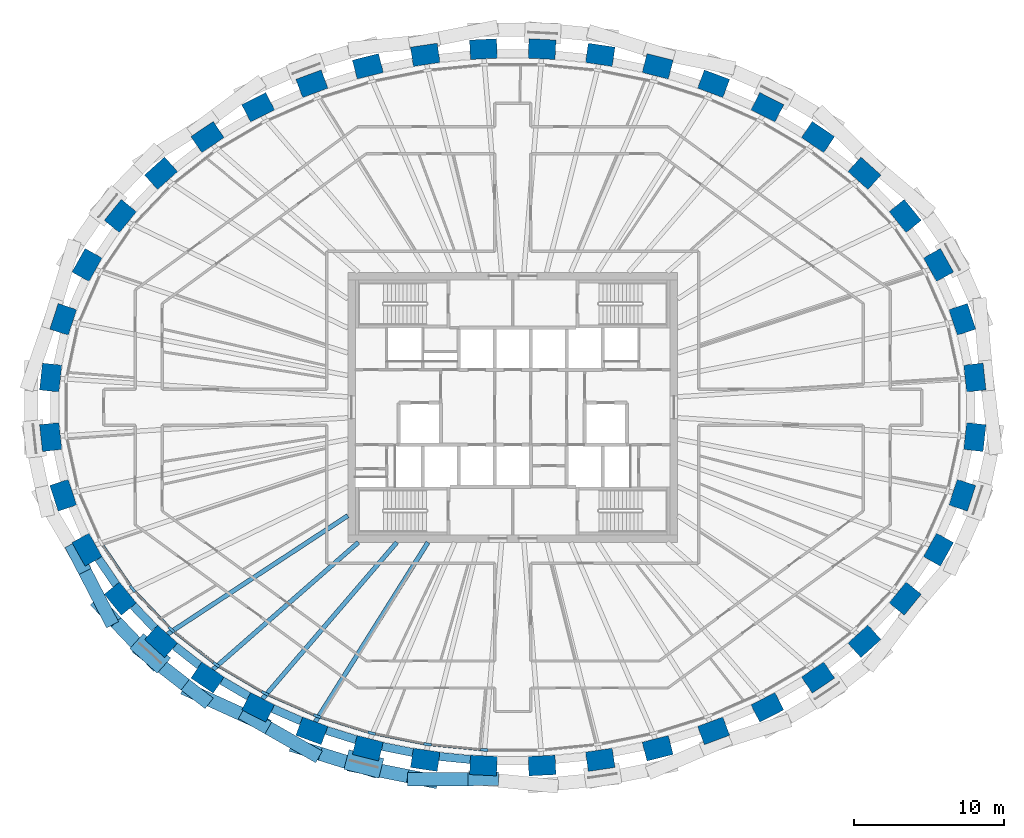
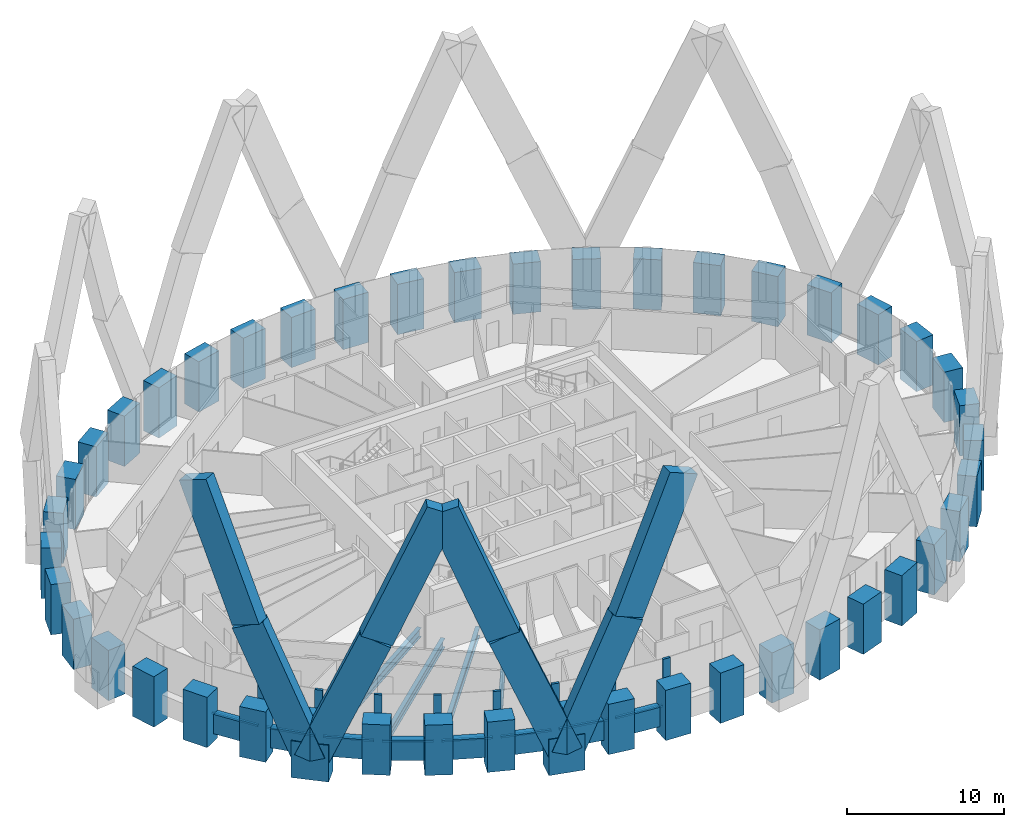
# One storey, part 1 of 14: 44 columns, 26 members, 12 beams, 1 element without a shape of its own.
"""IFC4 building model written with IfcOpenShell, lengths in metres."""

from ifc_helpers import new_model, si_unit, direction, frame, origin, origin_2d, place, context, subcontext, project, spatial, rectangle, i_section, extrude, source, transform, mapped, material, material_profile, profile_set, type_object, element, aggregate, save


model = new_model("IFC4")

# Units and contexts
model_context = context("Model", 3, precision=1e-05, world=origin(), true_north=direction((0.0, 1.0)))
body_context = subcontext(model_context, "Body", "Model", "MODEL_VIEW")
ifc_project = project(units=[si_unit("LENGTHUNIT", "METRE"), si_unit("AREAUNIT", "SQUARE_METRE"), si_unit("VOLUMEUNIT", "CUBIC_METRE"), si_unit("PLANEANGLEUNIT", "RADIAN"), si_unit("MASSUNIT", "GRAM", prefix="KILO")], contexts=[model_context])

# Site, building, storey
site_placement = place(None, origin())
site = spatial("IfcSite", under=ifc_project, at=site_placement, CompositionType="ELEMENT")
building_placement = place(site_placement, origin())
building = spatial("IfcBuilding", under=site, at=building_placement, Name="Embergate Tower", CompositionType="ELEMENT")
storey_placement = place(building_placement, frame((0.0, 0.0, 297.39990234375)))
storey = spatial("IfcBuildingStorey", under=building, at=storey_placement, Name="L69", CompositionType="ELEMENT", Elevation=297.39990234375)

# Columns
ifc_material_1 = material(Name="Concrete C50", Category="concrete")
ifc_material_profile_1 = material_profile(ifc_material_1, rectangle(XDim=1.300048828125, YDim=1.800048828125, at=origin_2d()), Name="RC 1300x1800")
ifc_profile_set_1 = profile_set([ifc_material_profile_1], Name="Concrete C50")
column_type = type_object("IfcColumnType", Name="Ring column RC 1300x1800 C50", PredefinedType="COLUMN", material=ifc_profile_set_1)
shared_shape_1 = source(origin(), body_context, "Body", "SweptSolid", [
    extrude(rectangle(XDim=1.300048828125, YDim=1.800048828125, at=origin_2d()), origin(), (0.0, 0.0, 1.0), 3.89990234375),
])
for number, where, z_axis, x_axis, name in (
    (1, (30.80908203125, 1.985107421875, -1.39990234375), (0.0, 0.0, 1.0), (0.99428589498, 0.106749983816, 0.0), "COL-L69-00"),
    (2, (29.97412109375, 5.864013671875, -1.39990234375), (0.0, 0.0, 1.0), (0.950754033697, 0.309946394413, 0.0), "COL-L69-01"),
    (3, (28.384033203125, 9.489990234375, -1.39990234375), (0.0, 0.0, 1.0), (0.873500465855, 0.486823311018, 0.0), "COL-L69-02"),
    (4, (26.1640625, 12.7548828125, -1.39990234375), (0.0, 0.0, 1.0), (0.775925311702, 0.630824786022, 0.0), "COL-L69-03"),
    (5, (23.447998046875, 15.60302734375, -1.39990234375), (0.0, 0.0, 1.0), (0.669221393633, 0.743063070206, 0.0), "COL-L69-04"),
    (6, (20.35302734375, 18.01904296875, -1.39990234375), (0.0, 0.0, 1.0), (0.560393279442, 0.828226643109, 0.0), "COL-L69-05"),
    (7, (16.97607421875, 20.0048828125, -1.39990234375), (0.0, 0.0, 1.0), (0.453010512651, 0.891505174089, 0.0), "COL-L69-06"),
    (8, (13.39208984375, 21.572021484375, -1.39990234375), (0.0, 0.0, 1.0), (0.348343015724, 0.93736713373, 0.0), "COL-L69-07"),
    (9, (9.662109375, 22.73388671875, -1.39990234375), (0.0, 0.0, 1.0), (0.24650851817, 0.969140624713, 0.0), "COL-L69-08"),
    (10, (5.833984375, 23.501953125, -1.39990234375), (0.0, 0.0, 1.0), (0.146929011949, 0.989147039346, 0.0), "COL-L69-09"),
    (11, (1.950927734375, 23.883056640625, -1.39990234375), (0.0, 0.0, 1.0), (0.048814904854, 0.998807841912, 0.0), "COL-L69-10"),
    (12, (-1.950927734375, 23.883056640625, -1.39990234375), (0.0, 0.0, 1.0), (-0.048814904854, 0.998807841912, 0.0), "COL-L69-11"),
    (13, (-5.833984375, 23.501953125, -1.39990234375), (0.0, 0.0, 1.0), (-0.146929011949, 0.989147039346, 0.0), "COL-L69-12"),
    (14, (-9.662109375, 22.73388671875, -1.39990234375), (0.0, 0.0, 1.0), (-0.24650851817, 0.969140624713, 0.0), "COL-L69-13"),
    (15, (-13.39208984375, 21.572021484375, -1.39990234375), (0.0, 0.0, 1.0), (-0.348343015724, 0.93736713373, 0.0), "COL-L69-14"),
    (16, (-16.97607421875, 20.0048828125, -1.39990234375), (0.0, 0.0, 1.0), (-0.453010512651, 0.891505174089, 0.0), "COL-L69-15"),
    (17, (-20.35302734375, 18.01904296875, -1.39990234375), (0.0, 0.0, 1.0), (-0.560393279442, 0.828226643109, 0.0), "COL-L69-16"),
    (18, (-23.447998046875, 15.60302734375, -1.39990234375), (0.0, 0.0, 1.0), (-0.669221393633, 0.743063070206, 0.0), "COL-L69-17"),
    (19, (-26.1640625, 12.7548828125, -1.39990234375), (0.0, 0.0, 1.0), (-0.775925311702, 0.630824786022, 0.0), "COL-L69-18"),
    (20, (-28.384033203125, 9.489990234375, -1.39990234375), (0.0, 0.0, 1.0), (-0.873500465855, 0.486823311018, 0.0), "COL-L69-19"),
    (21, (-29.97412109375, 5.864013671875, -1.39990234375), (0.0, 0.0, 1.0), (-0.950754033697, 0.309946394413, 0.0), "COL-L69-20"),
    (22, (-30.80908203125, 1.985107421875, -1.39990234375), (0.0, 0.0, 1.0), (-0.99428589498, 0.106749983816, 0.0), "COL-L69-21"),
    (23, (-30.80908203125, -1.985107421875, -1.39990234375), (0.0, 0.0, 1.0), (-0.99428589498, -0.106749983816, 0.0), "COL-L69-22"),
    (24, (-29.97412109375, -5.864013671875, -1.39990234375), (0.0, 0.0, 1.0), (-0.950754033697, -0.309946394413, 0.0), "COL-L69-23"),
    (25, (-28.384033203125, -9.489990234375, -1.39990234375), (0.0, 0.0, 1.0), (-0.873500465855, -0.486823311018, 0.0), "COL-L69-24"),
    (26, (-26.1640625, -12.7548828125, -1.39990234375), (0.0, 0.0, 1.0), (-0.775925311702, -0.630824786022, 0.0), "COL-L69-25"),
    (27, (-23.447998046875, -15.60302734375, -1.39990234375), (0.0, 0.0, 1.0), (-0.669221393633, -0.743063070206, 0.0), "COL-L69-26"),
    (28, (-20.35302734375, -18.01904296875, -1.39990234375), (0.0, 0.0, 1.0), (-0.560393279442, -0.828226643109, 0.0), "COL-L69-27"),
    (29, (-16.97607421875, -20.0048828125, -1.39990234375), (0.0, 0.0, 1.0), (-0.453010512651, -0.891505174089, 0.0), "COL-L69-28"),
    (30, (-13.39208984375, -21.572021484375, -1.39990234375), (0.0, 0.0, 1.0), (-0.348343015724, -0.93736713373, 0.0), "COL-L69-29"),
    (31, (-9.662109375, -22.73388671875, -1.39990234375), (0.0, 0.0, 1.0), (-0.24650851817, -0.969140624713, 0.0), "COL-L69-30"),
    (32, (-5.833984375, -23.501953125, -1.39990234375), (0.0, 0.0, 1.0), (-0.146929011949, -0.989147039346, 0.0), "COL-L69-31"),
    (33, (-1.950927734375, -23.883056640625, -1.39990234375), (0.0, 0.0, 1.0), (-0.048814904854, -0.998807841912, 0.0), "COL-L69-32"),
    (34, (1.950927734375, -23.883056640625, -1.39990234375), (0.0, 0.0, 1.0), (0.048814904854, -0.998807841912, 0.0), "COL-L69-33"),
    (35, (5.833984375, -23.501953125, -1.39990234375), (0.0, 0.0, 1.0), (0.146929011949, -0.989147039346, 0.0), "COL-L69-34"),
    (36, (9.662109375, -22.73388671875, -1.39990234375), (0.0, 0.0, 1.0), (0.24650851817, -0.969140624713, 0.0), "COL-L69-35"),
    (37, (13.39208984375, -21.572021484375, -1.39990234375), (0.0, 0.0, 1.0), (0.348343015724, -0.93736713373, 0.0), "COL-L69-36"),
    (38, (16.97607421875, -20.0048828125, -1.39990234375), (0.0, 0.0, 1.0), (0.453010512651, -0.891505174089, 0.0), "COL-L69-37"),
    (39, (20.35302734375, -18.01904296875, -1.39990234375), (0.0, 0.0, 1.0), (0.560393279442, -0.828226643109, 0.0), "COL-L69-38"),
    (40, (23.447998046875, -15.60302734375, -1.39990234375), (0.0, 0.0, 1.0), (0.669221393633, -0.743063070206, 0.0), "COL-L69-39"),
    (41, (26.1640625, -12.7548828125, -1.39990234375), (0.0, 0.0, 1.0), (0.775925311702, -0.630824786022, 0.0), "COL-L69-40"),
    (42, (28.384033203125, -9.489990234375, -1.39990234375), (0.0, 0.0, 1.0), (0.873500465855, -0.486823311018, 0.0), "COL-L69-41"),
    (43, (29.97412109375, -5.864013671875, -1.39990234375), (0.0, 0.0, 1.0), (0.950754033697, -0.309946394413, 0.0), "COL-L69-42"),
    (44, (30.80908203125, -1.985107421875, -1.39990234375), (0.0, 0.0, 1.0), (0.99428589498, -0.106749983816, 0.0), "COL-L69-43"),
):
    element("IfcColumn", number, at=place(storey_placement, frame(where, z_axis=z_axis, x_axis=x_axis)), inside=storey, type_object=column_type, Name=name, PredefinedType="COLUMN", context=body_context, shape_type="MappedRepresentation", body=[
        mapped(shared_shape_1, transform((0.0, 0.0, 0.0))),
    ])

# Beams
ifc_material_2 = material(Name="Steel Q355B", Category="steel")
ifc_material_profile_2 = material_profile(ifc_material_2, i_section(OverallWidth=0.300048828125, OverallDepth=0.699951171875, WebThickness=0.012939453125, FlangeThickness=0.02392578125, FilletRadius=0.01806640625, at=origin_2d()), Name="HN 700x300x13x24")
ifc_profile_set_2 = profile_set([ifc_material_profile_2], Name="Steel Q355 grade B")
beam_type_1 = type_object("IfcBeamType", Name="Radial girder HN 700x300x13x24", PredefinedType="BEAM", material=ifc_profile_set_2)
shared_shape_2 = source(origin(), body_context, "Body", "SweptSolid", [
    extrude(i_section(OverallWidth=0.300048828125, OverallDepth=0.699951171875, WebThickness=0.012939453125, FlangeThickness=0.02392578125, FilletRadius=0.01806640625, at=origin_2d()), origin(), (0.0, 0.0, 1.0), 13.742431640625),
])
beam_1_placement = place(storey_placement, frame((-16.681884765625, -19.426025390625, -0.5498046875), z_axis=(0.651474345674, 0.758670664339, 0.0), x_axis=(-0.758670664339, 0.651474345674, 0.0)))
element("IfcBeam", 45, at=beam_1_placement, inside=storey, type_object=beam_type_1, Name="GIR-L69-28", PredefinedType="BEAM", context=body_context, shape_type="MappedRepresentation", body=[
    mapped(shared_shape_2, transform((0.0, 0.0, 0.0))),
])
ifc_material_profile_3 = material_profile(ifc_material_1, rectangle(XDim=0.550048828125, YDim=1.5, at=origin_2d()), Name="RC 550x1500")
ifc_profile_set_3 = profile_set([ifc_material_profile_3], Name="Concrete C50")
beam_type_2 = type_object("IfcBeamType", Name="Spandrel beam RC 550x1500 C50", PredefinedType="BEAM", material=ifc_profile_set_3)
shared_shape_3 = source(origin(), body_context, "Body", "SweptSolid", [
    extrude(rectangle(XDim=0.550048828125, YDim=1.5, at=origin_2d()), origin(), (0.0, 0.0, 1.0), 2.09033203125),
])
beam_2_placement = place(storey_placement, frame((-27.618896484375, -10.093994140625, 0.0), z_axis=(0.562009695033, -0.827130644269, 0.0), x_axis=(0.827130644269, 0.562009695033, 0.0)))
element("IfcBeam", 46, at=beam_2_placement, inside=storey, type_object=beam_type_2, Name="SPN-L69-24", PredefinedType="BEAM", context=body_context, shape_type="MappedRepresentation", body=[
    mapped(shared_shape_3, transform((0.0, 0.0, 0.0))),
])
shared_shape_4 = source(origin(), body_context, "Body", "SweptSolid", [
    extrude(rectangle(XDim=0.550048828125, YDim=1.5, at=origin_2d()), origin(), (0.0, 0.0, 1.0), 2.08447265625),
])
beam_3_placement = place(storey_placement, frame((-25.31298828125, -13.222900390625, 0.0), z_axis=(0.690339235394, -0.72348582576, 0.0), x_axis=(0.72348582576, 0.690339235394, 0.0)))
element("IfcBeam", 47, at=beam_3_placement, inside=storey, type_object=beam_type_2, Name="SPN-L69-25", PredefinedType="BEAM", context=body_context, shape_type="MappedRepresentation", body=[
    mapped(shared_shape_4, transform((0.0, 0.0, 0.0))),
])
shared_shape_5 = source(origin(), body_context, "Body", "SweptSolid", [
    extrude(rectangle(XDim=0.550048828125, YDim=1.5, at=origin_2d()), origin(), (0.0, 0.0, 1.0), 2.0791015625),
])
beam_4_placement = place(storey_placement, frame((-22.527099609375, -15.925048828125, 0.0), z_axis=(0.788383845435, -0.615183641084, 0.0), x_axis=(0.615183641084, 0.788383845435, 0.0)))
element("IfcBeam", 48, at=beam_4_placement, inside=storey, type_object=beam_type_2, Name="SPN-L69-26", PredefinedType="BEAM", context=body_context, shape_type="MappedRepresentation", body=[
    mapped(shared_shape_5, transform((0.0, 0.0, 0.0))),
])
shared_shape_6 = source(origin(), body_context, "Body", "SweptSolid", [
    extrude(rectangle(XDim=0.550048828125, YDim=1.5, at=origin_2d()), origin(), (0.0, 0.0, 1.0), 2.074462890625),
])
beam_5_placement = place(storey_placement, frame((-19.39892578125, -18.216064453125, 0.0), z_axis=(0.861864620017, -0.507138419726, 0.0), x_axis=(0.507138419726, 0.861864620017, 0.0)))
element("IfcBeam", 49, at=beam_5_placement, inside=storey, type_object=beam_type_2, Name="SPN-L69-27", PredefinedType="BEAM", context=body_context, shape_type="MappedRepresentation", body=[
    mapped(shared_shape_6, transform((0.0, 0.0, 0.0))),
])
shared_shape_7 = source(origin(), body_context, "Body", "SweptSolid", [
    extrude(rectangle(XDim=0.550048828125, YDim=1.5, at=origin_2d()), origin(), (0.0, 0.0, 1.0), 2.073486328125),
])
beam_6_placement = place(storey_placement, frame((-16.008056640625, -20.0859375, 0.0), z_axis=(0.91637608024, -0.400318472673, 0.0), x_axis=(0.400318472673, 0.91637608024, 0.0)))
element("IfcBeam", 50, at=beam_6_placement, inside=storey, type_object=beam_type_2, Name="SPN-L69-28", PredefinedType="BEAM", context=body_context, shape_type="MappedRepresentation", body=[
    mapped(shared_shape_7, transform((0.0, 0.0, 0.0))),
])
shared_shape_8 = source(origin(), body_context, "Body", "SweptSolid", [
    extrude(rectangle(XDim=0.550048828125, YDim=1.5, at=origin_2d()), origin(), (0.0, 0.0, 1.0), 2.07080078125),
])
beam_7_placement = place(storey_placement, frame((-12.422119140625, -21.544921875, 0.0), z_axis=(0.954735561173, -0.297455892917, 0.0), x_axis=(0.297455892917, 0.954735561173, 0.0)))
element("IfcBeam", 51, at=beam_7_placement, inside=storey, type_object=beam_type_2, Name="SPN-L69-29", PredefinedType="BEAM", context=body_context, shape_type="MappedRepresentation", body=[
    mapped(shared_shape_8, transform((0.0, 0.0, 0.0))),
])
shared_shape_9 = source(origin(), body_context, "Body", "SweptSolid", [
    extrude(rectangle(XDim=0.550048828125, YDim=1.5, at=origin_2d()), origin(), (0.0, 0.0, 1.0), 2.070556640625),
])
beam_8_placement = place(storey_placement, frame((-8.700927734375, -22.60595703125, 0.0), z_axis=(0.980398860457, -0.197023030165, 0.0), x_axis=(0.197023030165, 0.980398860457, 0.0)))
element("IfcBeam", 52, at=beam_8_placement, inside=storey, type_object=beam_type_2, Name="SPN-L69-30", PredefinedType="BEAM", context=body_context, shape_type="MappedRepresentation", body=[
    mapped(shared_shape_9, transform((0.0, 0.0, 0.0))),
])
shared_shape_10 = source(origin(), body_context, "Body", "SweptSolid", [
    extrude(rectangle(XDim=0.550048828125, YDim=1.5, at=origin_2d()), origin(), (0.0, 0.0, 1.0), 2.06884765625),
])
beam_9_placement = place(storey_placement, frame((-4.89111328125, -23.279052734375, 0.0), z_axis=(0.995226952233, -0.097587466149, 0.0), x_axis=(0.097587466149, 0.995226952233, 0.0)))
element("IfcBeam", 53, at=beam_9_placement, inside=storey, type_object=beam_type_2, Name="SPN-L69-31", PredefinedType="BEAM", context=body_context, shape_type="MappedRepresentation", body=[
    mapped(shared_shape_10, transform((0.0, 0.0, 0.0))),
])
shared_shape_11 = source(origin(), body_context, "Body", "SweptSolid", [
    extrude(i_section(OverallWidth=0.300048828125, OverallDepth=0.699951171875, WebThickness=0.012939453125, FlangeThickness=0.02392578125, FilletRadius=0.01806640625, at=origin_2d()), origin(), (0.0, 0.0, 1.0), 14.3740234375),
])
beam_10_placement = place(storey_placement, frame((-23.012939453125, -15.1201171875, -0.5498046875), z_axis=(0.835742226811, 0.549121963069, 0.0), x_axis=(-0.549121963069, 0.835742226811, 0.0)))
element("IfcBeam", 54, at=beam_10_placement, inside=storey, type_object=beam_type_1, Name="GIR-L69-26", PredefinedType="BEAM", context=body_context, shape_type="MappedRepresentation", body=[
    mapped(shared_shape_11, transform((0.0, 0.0, 0.0))),
])
shared_shape_12 = source(origin(), body_context, "Body", "SweptSolid", [
    extrude(i_section(OverallWidth=0.300048828125, OverallDepth=0.699951171875, WebThickness=0.012939453125, FlangeThickness=0.02392578125, FilletRadius=0.01806640625, at=origin_2d()), origin(), (0.0, 0.0, 1.0), 12.88330078125),
])
beam_11_placement = place(storey_placement, frame((-19.989013671875, -17.48095703125, -0.5498046875), z_axis=(0.752760969036, 0.658293949157, 0.0), x_axis=(-0.658293949157, 0.752760969036, 0.0)))
element("IfcBeam", 55, at=beam_11_placement, inside=storey, type_object=beam_type_1, Name="GIR-L69-27", PredefinedType="BEAM", context=body_context, shape_type="MappedRepresentation", body=[
    mapped(shared_shape_12, transform((0.0, 0.0, 0.0))),
])
shared_shape_13 = source(origin(), body_context, "Body", "SweptSolid", [
    extrude(i_section(OverallWidth=0.300048828125, OverallDepth=0.699951171875, WebThickness=0.012939453125, FlangeThickness=0.02392578125, FilletRadius=0.01806640625, at=origin_2d()), origin(), (0.0, 0.0, 1.0), 14.126953125),
])
beam_12_placement = place(storey_placement, frame((-13.166015625, -20.962890625, -0.5498046875), z_axis=(0.531886600535, 0.846815590416, 0.0), x_axis=(-0.846815590416, 0.531886600535, 0.0)))
element("IfcBeam", 56, at=beam_12_placement, inside=storey, type_object=beam_type_1, Name="GIR-L69-29", PredefinedType="BEAM", context=body_context, shape_type="MappedRepresentation", body=[
    mapped(shared_shape_13, transform((0.0, 0.0, 0.0))),
])

# Members
ifc_material_3 = material(Name="Concrete C70", Category="concrete")
ifc_material_profile_4 = material_profile(ifc_material_3, rectangle(XDim=1.35009765625, YDim=2.449951171875, at=origin_2d()), Name="RC 1350x2450")
ifc_profile_set_4 = profile_set([ifc_material_profile_4], Name="Concrete C70")
member_type_1 = type_object("IfcMemberType", Name="Lattice node block RC 1350x2450", PredefinedType="POST", material=ifc_profile_set_4)
shared_shape_14 = source(origin(), body_context, "Body", "SweptSolid", [
    extrude(rectangle(XDim=1.35009765625, YDim=2.449951171875, at=origin_2d()), origin(), (0.0, 0.0, 1.0), 2.849853515625),
])
member_1_placement = place(storey_placement, frame((-24.16796875, -16.402099609375, -1.4248046875), z_axis=(0.0, 0.0, 1.0), x_axis=(-0.669221393633, -0.743063070206, 0.0)))
element("IfcMember", 57, at=member_1_placement, inside=storey, type_object=member_type_1, Name="NOD-L69-26", PredefinedType="POST", context=body_context, shape_type="MappedRepresentation", body=[
    mapped(shared_shape_14, transform((0.0, 0.0, 0.0))),
])
ifc_material_profile_5 = material_profile(ifc_material_3, rectangle(XDim=1.35009765625, YDim=2.39990234375, at=origin_2d()), Name="RC 1350x2400")
ifc_profile_set_5 = profile_set([ifc_material_profile_5], Name="Concrete C70")
member_type_2 = type_object("IfcMemberType", Name="Lattice node block RC 1350x2400", PredefinedType="POST", material=ifc_profile_set_5)
shared_shape_15 = source(origin(), body_context, "Body", "SweptSolid", [
    extrude(rectangle(XDim=1.35009765625, YDim=2.39990234375, at=origin_2d()), origin(), (0.0, 0.0, 1.0), 2.800048828125),
])
member_2_placement = place(storey_placement, frame((-9.926025390625, -23.77587890625, -1.39990234375), z_axis=(0.0, 0.0, 1.0), x_axis=(-0.24650851817, -0.969140624713, 0.0)))
element("IfcMember", 58, at=member_2_placement, inside=storey, type_object=member_type_2, Name="NOD-L69-30", PredefinedType="POST", context=body_context, shape_type="MappedRepresentation", body=[
    mapped(shared_shape_15, transform((0.0, 0.0, 0.0))),
])
ifc_material_profile_6 = material_profile(ifc_material_3, rectangle(XDim=0.89990234375, YDim=2.199951171875, at=origin_2d()), Name="RC 900x2200")
ifc_profile_set_6 = profile_set([ifc_material_profile_6], Name="Concrete C70")
member_type_3 = type_object("IfcMemberType", Name="Lattice diagonal terracotta-faced RC 900x2200", PredefinedType="BRACE", material=ifc_profile_set_6)
shared_shape_16 = source(origin(), body_context, "Body", "SweptSolid", [
    extrude(rectangle(XDim=0.89990234375, YDim=2.199951171875, at=origin_2d()), origin(), (0.0, 0.0, 1.0), 10.578369140625),
])
member_3_placement = place(storey_placement, frame((-24.318115234375, -16.569091796875, 0.0), z_axis=(-0.267601204721, 0.280871639625, 0.921683631886), x_axis=(-0.724003514674, -0.689796282058, 0.0)))
element("IfcMember", 59, at=member_3_placement, inside=storey, type_object=member_type_3, Name="BRC-L69-26-24-S00", PredefinedType="BRACE", context=body_context, shape_type="MappedRepresentation", body=[
    mapped(shared_shape_16, transform((0.0, 0.0, 0.0))),
])
shared_shape_17 = source(origin(), body_context, "Body", "SweptSolid", [
    extrude(rectangle(XDim=0.89990234375, YDim=2.199951171875, at=origin_2d()), origin(), (0.0, 0.0, 1.0), 10.540283203125),
])
member_4_placement = place(storey_placement, frame((-27.14892578125, -13.597900390625, 9.75), z_axis=(-0.174855297653, 0.337272220045, 0.925025985834), x_axis=(-0.887783136166, -0.46026199402, 0.0)))
element("IfcMember", 60, at=member_4_placement, inside=storey, type_object=member_type_3, Name="BRC-L69-26-24-S01", PredefinedType="BRACE", context=body_context, shape_type="MappedRepresentation", body=[
    mapped(shared_shape_17, transform((0.0, 0.0, 0.0))),
])
shared_shape_18 = source(origin(), body_context, "Body", "SweptSolid", [
    extrude(rectangle(XDim=0.89990234375, YDim=2.199951171875, at=origin_2d()), origin(), (0.0, 0.0, 1.0), 10.59765625),
])
member_5_placement = place(storey_placement, frame((-24.318115234375, -16.569091796875, 0.0), z_axis=(0.309229684985, -0.240716753215, 0.920017633878), x_axis=(0.614266151244, 0.789098913594, 0.0)))
element("IfcMember", 61, at=member_5_placement, inside=storey, type_object=member_type_3, Name="BRC-L69-26-28-S00", PredefinedType="BRACE", context=body_context, shape_type="MappedRepresentation", body=[
    mapped(shared_shape_18, transform((0.0, 0.0, 0.0))),
])
shared_shape_19 = source(origin(), body_context, "Body", "SweptSolid", [
    extrude(rectangle(XDim=0.89990234375, YDim=2.199951171875, at=origin_2d()), origin(), (0.0, 0.0, 1.0), 10.6298828125),
])
member_6_placement = place(storey_placement, frame((-21.041015625, -19.1201171875, 9.75), z_axis=(0.362743023111, -0.164720334415, 0.917215738316), x_axis=(0.413464124554, 0.910520410374, 0.0)))
element("IfcMember", 62, at=member_6_placement, inside=storey, type_object=member_type_3, Name="BRC-L69-26-28-S01", PredefinedType="BRACE", context=body_context, shape_type="MappedRepresentation", body=[
    mapped(shared_shape_19, transform((0.0, 0.0, 0.0))),
])
shared_shape_20 = source(origin(), body_context, "Body", "SweptSolid", [
    extrude(rectangle(XDim=0.89990234375, YDim=2.199951171875, at=origin_2d()), origin(), (0.0, 0.0, 1.0), 10.54052734375),
])
member_7_placement = place(storey_placement, frame((-9.98193359375, -23.993896484375, 0.0), z_axis=(-0.362790196048, 0.112892767384, 0.925007295498), x_axis=(-0.297125839147, -0.95483832962, 0.0)))
element("IfcMember", 63, at=member_7_placement, inside=storey, type_object=member_type_3, Name="BRC-L69-30-28-S00", PredefinedType="BRACE", context=body_context, shape_type="MappedRepresentation", body=[
    mapped(shared_shape_20, transform((0.0, 0.0, 0.0))),
])
shared_shape_21 = source(origin(), body_context, "Body", "SweptSolid", [
    extrude(rectangle(XDim=0.89990234375, YDim=2.199951171875, at=origin_2d()), origin(), (0.0, 0.0, 1.0), 10.49853515625),
])
member_8_placement = place(storey_placement, frame((-13.805908203125, -22.803955078125, 9.75), z_axis=(-0.321871860632, 0.184109495024, 0.928709965046), x_axis=(-0.496510355503, -0.868030798347, 0.0)))
element("IfcMember", 64, at=member_8_placement, inside=storey, type_object=member_type_3, Name="BRC-L69-30-28-S01", PredefinedType="BRACE", context=body_context, shape_type="MappedRepresentation", body=[
    mapped(shared_shape_21, transform((0.0, 0.0, 0.0))),
])
shared_shape_22 = source(origin(), body_context, "Body", "SweptSolid", [
    extrude(rectangle(XDim=0.89990234375, YDim=2.199951171875, at=origin_2d()), origin(), (0.0, 0.0, 1.0), 10.56005859375),
])
member_9_placement = place(storey_placement, frame((-9.98193359375, -23.993896484375, 0.0), z_axis=(0.376612577186, -0.075484350185, 0.923290354971), x_axis=(0.196521245246, 0.980499566633, 0.0)))
element("IfcMember", 65, at=member_9_placement, inside=storey, type_object=member_type_3, Name="BRC-L69-30-32-S00", PredefinedType="BRACE", context=body_context, shape_type="MappedRepresentation", body=[
    mapped(shared_shape_22, transform((0.0, 0.0, 0.0))),
])
shared_shape_23 = source(origin(), body_context, "Body", "SweptSolid", [
    extrude(rectangle(XDim=0.89990234375, YDim=2.199951171875, at=origin_2d()), origin(), (0.0, 0.0, 1.0), 10.552734375),
])
member_10_placement = place(storey_placement, frame((-6.0048828125, -24.791015625, 9.75), z_axis=(0.382544341131, 0.001041094367, 0.923936547167), x_axis=(-0.00272148977, 0.99999629674, 0.0)))
element("IfcMember", 66, at=member_10_placement, inside=storey, type_object=member_type_3, Name="BRC-L69-30-32-S01", PredefinedType="BRACE", context=body_context, shape_type="MappedRepresentation", body=[
    mapped(shared_shape_23, transform((0.0, 0.0, 0.0))),
])

# Curtain wall, members
ifc_material_4 = material(Name="Aluminium and glass", Category="aluminium")
curtain_wall_type = type_object("IfcCurtainWallType", Name="Recessed office glazing", PredefinedType="NOTDEFINED", material=ifc_material_4)
curtain_wall_placement = place(storey_placement, origin())
curtain_wall = element("IfcCurtainWall", 67, at=curtain_wall_placement, inside=storey, type_object=curtain_wall_type, Name="Recessed office glazing ring", ObjectType="RECESSED OFFICE GLAZING", PredefinedType="USERDEFINED")
ifc_material_5 = material(Name="Aluminium, thermally broken", Category="aluminium")
ifc_material_profile_7 = material_profile(ifc_material_5, rectangle(XDim=0.179931640625, YDim=0.52001953125, at=origin_2d()), Name="AL 520x180")
ifc_profile_set_7 = profile_set([ifc_material_profile_7], Name="Aluminium, thermally broken")
member_type_4 = type_object("IfcMemberType", Name="Office mullion", PredefinedType="MULLION", material=ifc_profile_set_7)
shared_shape_24 = source(origin(), body_context, "Body", "SweptSolid", [
    extrude(rectangle(XDim=0.179931640625, YDim=0.52001953125, at=origin_2d()), origin(), (0.0, 0.0, 1.0), 3.7001953125),
])
member_11_placement = place(storey_placement, frame((-25.357421875, -12.098388671875, 0.0), z_axis=(0.0, 0.0, 1.0), x_axis=(0.777863789852, 0.628432911643, 0.0)))
member_11 = element("IfcMember", 68, at=member_11_placement, type_object=member_type_4, Name="CW mullion 26", PredefinedType="MULLION", context=body_context, shape_type="MappedRepresentation", body=[
    mapped(shared_shape_24, transform((0.0, 0.0, 0.0))),
])
member_12_placement = place(storey_placement, frame((-22.752197265625, -14.83056640625, 0.0), z_axis=(0.0, 0.0, 1.0), x_axis=(0.671220065284, 0.741258135847, 0.0)))
member_12 = element("IfcMember", 69, at=member_12_placement, type_object=member_type_4, Name="CW mullion 27", PredefinedType="MULLION", context=body_context, shape_type="MappedRepresentation", body=[
    mapped(shared_shape_24, transform((0.0, 0.0, 0.0))),
])
member_13_placement = place(storey_placement, frame((-19.770263671875, -17.15771484375, 0.0), z_axis=(0.0, 0.0, 1.0), x_axis=(0.562211845055, 0.826993253467, 0.0)))
member_13 = element("IfcMember", 70, at=member_13_placement, type_object=member_type_4, Name="CW mullion 28", PredefinedType="MULLION", context=body_context, shape_type="MappedRepresentation", body=[
    mapped(shared_shape_24, transform((0.0, 0.0, 0.0))),
])
member_14_placement = place(storey_placement, frame((-16.504638671875, -19.077880859375, 0.0), z_axis=(0.0, 0.0, 1.0), x_axis=(0.454508271251, 0.890742516872, 0.0)))
member_14 = element("IfcMember", 71, at=member_14_placement, type_object=member_type_4, Name="CW mullion 29", PredefinedType="MULLION", context=body_context, shape_type="MappedRepresentation", body=[
    mapped(shared_shape_24, transform((0.0, 0.0, 0.0))),
])
member_15_placement = place(storey_placement, frame((-13.029541015625, -20.597412109375, 0.0), z_axis=(0.0, 0.0, 1.0), x_axis=(0.349501047589, 0.936935973124, 0.0)))
member_15 = element("IfcMember", 72, at=member_15_placement, type_object=member_type_4, Name="CW mullion 30", PredefinedType="MULLION", context=body_context, shape_type="MappedRepresentation", body=[
    mapped(shared_shape_24, transform((0.0, 0.0, 0.0))),
])
member_16_placement = place(storey_placement, frame((-9.405029296875, -21.72607421875, 0.0), z_axis=(0.0, 0.0, 1.0), x_axis=(0.24731188137, 0.968935928394, 0.0)))
member_16 = element("IfcMember", 73, at=member_16_placement, type_object=member_type_4, Name="CW mullion 31", PredefinedType="MULLION", context=body_context, shape_type="MappedRepresentation", body=[
    mapped(shared_shape_24, transform((0.0, 0.0, 0.0))),
])
member_17_placement = place(storey_placement, frame((-5.68115234375, -22.472900390625, 0.0), z_axis=(0.0, 0.0, 1.0), x_axis=(0.147412382818, 0.989075118174, 0.0)))
member_17 = element("IfcMember", 74, at=member_17_placement, type_object=member_type_4, Name="CW mullion 32", PredefinedType="MULLION", context=body_context, shape_type="MappedRepresentation", body=[
    mapped(shared_shape_24, transform((0.0, 0.0, 0.0))),
])
member_18_placement = place(storey_placement, frame((-1.89990234375, -22.844482421875, 0.0), z_axis=(0.0, 0.0, 1.0), x_axis=(0.048971796621, 0.998800161762, 0.0)))
member_18 = element("IfcMember", 75, at=member_18_placement, type_object=member_type_4, Name="CW mullion 33", PredefinedType="MULLION", context=body_context, shape_type="MappedRepresentation", body=[
    mapped(shared_shape_24, transform((0.0, 0.0, 0.0))),
])
ifc_material_profile_8 = material_profile(ifc_material_5, rectangle(XDim=0.179931640625, YDim=0.14990234375, at=origin_2d()), Name="AL 150x180")
ifc_profile_set_8 = profile_set([ifc_material_profile_8], Name="Aluminium, thermally broken")
member_type_5 = type_object("IfcMemberType", Name="Office sill transom", PredefinedType="USERDEFINED", material=ifc_profile_set_8)
shared_shape_25 = source(origin(), body_context, "Body", "SweptSolid", [
    extrude(rectangle(XDim=0.179931640625, YDim=0.14990234375, at=origin_2d()), origin(), (0.0, 0.0, 1.0), 3.246826171875),
])
member_19_placement = place(storey_placement, frame((-27.32958984375, -9.19873046875, 0.0751953125), z_axis=(0.562363493995, -0.826890138182, 0.0), x_axis=(0.826890138182, 0.562363493995, 0.0)))
member_19 = element("IfcMember", 76, at=member_19_placement, type_object=member_type_5, Name="CW transom 25.1", ObjectType="TRANSOM", PredefinedType="USERDEFINED", context=body_context, shape_type="MappedRepresentation", body=[
    mapped(shared_shape_25, transform((0.0, 0.0, 0.0))),
])
shared_shape_26 = source(origin(), body_context, "Body", "SweptSolid", [
    extrude(rectangle(XDim=0.179931640625, YDim=0.14990234375, at=origin_2d()), origin(), (0.0, 0.0, 1.0), 3.255126953125),
])
member_20_placement = place(storey_placement, frame((-25.177978515625, -12.28662109375, 0.0751953125), z_axis=(0.690106396673, -0.723707925389, 0.0), x_axis=(0.723707925389, 0.690106396673, 0.0)))
member_20 = element("IfcMember", 77, at=member_20_placement, type_object=member_type_5, Name="CW transom 26.1", ObjectType="TRANSOM", PredefinedType="USERDEFINED", context=body_context, shape_type="MappedRepresentation", body=[
    mapped(shared_shape_26, transform((0.0, 0.0, 0.0))),
])
shared_shape_27 = source(origin(), body_context, "Body", "SweptSolid", [
    extrude(rectangle(XDim=0.179931640625, YDim=0.14990234375, at=origin_2d()), origin(), (0.0, 0.0, 1.0), 3.262451171875),
])
member_21_placement = place(storey_placement, frame((-22.547119140625, -14.990478515625, 0.0751953125), z_axis=(0.788303389344, -0.615286735066, 0.0), x_axis=(0.615286735066, 0.788303389344, 0.0)))
member_21 = element("IfcMember", 78, at=member_21_placement, type_object=member_type_5, Name="CW transom 27.1", ObjectType="TRANSOM", PredefinedType="USERDEFINED", context=body_context, shape_type="MappedRepresentation", body=[
    mapped(shared_shape_27, transform((0.0, 0.0, 0.0))),
])
shared_shape_28 = source(origin(), body_context, "Body", "SweptSolid", [
    extrude(rectangle(XDim=0.179931640625, YDim=0.14990234375, at=origin_2d()), origin(), (0.0, 0.0, 1.0), 3.268310546875),
])
member_22_placement = place(storey_placement, frame((-19.546142578125, -17.28955078125, 0.0751953125), z_axis=(0.862039813646, -0.506840566342, 0.0), x_axis=(0.506840566342, 0.862039813646, 0.0)))
member_22 = element("IfcMember", 79, at=member_22_placement, type_object=member_type_5, Name="CW transom 28.1", ObjectType="TRANSOM", PredefinedType="USERDEFINED", context=body_context, shape_type="MappedRepresentation", body=[
    mapped(shared_shape_28, transform((0.0, 0.0, 0.0))),
])
shared_shape_29 = source(origin(), body_context, "Body", "SweptSolid", [
    extrude(rectangle(XDim=0.179931640625, YDim=0.14990234375, at=origin_2d()), origin(), (0.0, 0.0, 1.0), 3.27294921875),
])
member_23_placement = place(storey_placement, frame((-16.266357421875, -19.181884765625, 0.0751953125), z_axis=(0.91623435737, -0.400642736582, 0.0), x_axis=(0.400642736582, 0.91623435737, 0.0)))
member_23 = element("IfcMember", 80, at=member_23_placement, type_object=member_type_5, Name="CW transom 29.1", ObjectType="TRANSOM", PredefinedType="USERDEFINED", context=body_context, shape_type="MappedRepresentation", body=[
    mapped(shared_shape_29, transform((0.0, 0.0, 0.0))),
])
shared_shape_30 = source(origin(), body_context, "Body", "SweptSolid", [
    extrude(rectangle(XDim=0.179931640625, YDim=0.14990234375, at=origin_2d()), origin(), (0.0, 0.0, 1.0), 3.276123046875),
])
member_24_placement = place(storey_placement, frame((-12.78125, -20.674560546875, 0.0751953125), z_axis=(0.954771243255, -0.297341340976, 0.0), x_axis=(0.297341340976, 0.954771243255, 0.0)))
member_24 = element("IfcMember", 81, at=member_24_placement, type_object=member_type_5, Name="CW transom 30.1", ObjectType="TRANSOM", PredefinedType="USERDEFINED", context=body_context, shape_type="MappedRepresentation", body=[
    mapped(shared_shape_30, transform((0.0, 0.0, 0.0))),
])
shared_shape_31 = source(origin(), body_context, "Body", "SweptSolid", [
    extrude(rectangle(XDim=0.179931640625, YDim=0.14990234375, at=origin_2d()), origin(), (0.0, 0.0, 1.0), 3.278076171875),
])
member_25_placement = place(storey_placement, frame((-9.150146484375, -21.777099609375, 0.0751953125), z_axis=(0.98046593112, -0.196688987777, 0.0), x_axis=(0.196688987777, 0.98046593112, 0.0)))
member_25 = element("IfcMember", 82, at=member_25_placement, type_object=member_type_5, Name="CW transom 31.1", ObjectType="TRANSOM", PredefinedType="USERDEFINED", context=body_context, shape_type="MappedRepresentation", body=[
    mapped(shared_shape_31, transform((0.0, 0.0, 0.0))),
])
shared_shape_32 = source(origin(), body_context, "Body", "SweptSolid", [
    extrude(rectangle(XDim=0.179931640625, YDim=0.14990234375, at=origin_2d()), origin(), (0.0, 0.0, 1.0), 3.279296875),
])
member_26_placement = place(storey_placement, frame((-5.42236328125, -22.498291015625, 0.0751953125), z_axis=(0.995203828947, -0.097822997549, 0.0), x_axis=(0.097822997549, 0.995203828947, 0.0)))
member_26 = element("IfcMember", 83, at=member_26_placement, type_object=member_type_5, Name="CW transom 32.1", ObjectType="TRANSOM", PredefinedType="USERDEFINED", context=body_context, shape_type="MappedRepresentation", body=[
    mapped(shared_shape_32, transform((0.0, 0.0, 0.0))),
])
aggregate(curtain_wall, [member_11, member_12, member_13, member_14, member_15, member_16, member_17, member_18, member_19, member_20, member_21, member_22, member_23, member_24, member_25, member_26])

save(model, "model.ifc")
